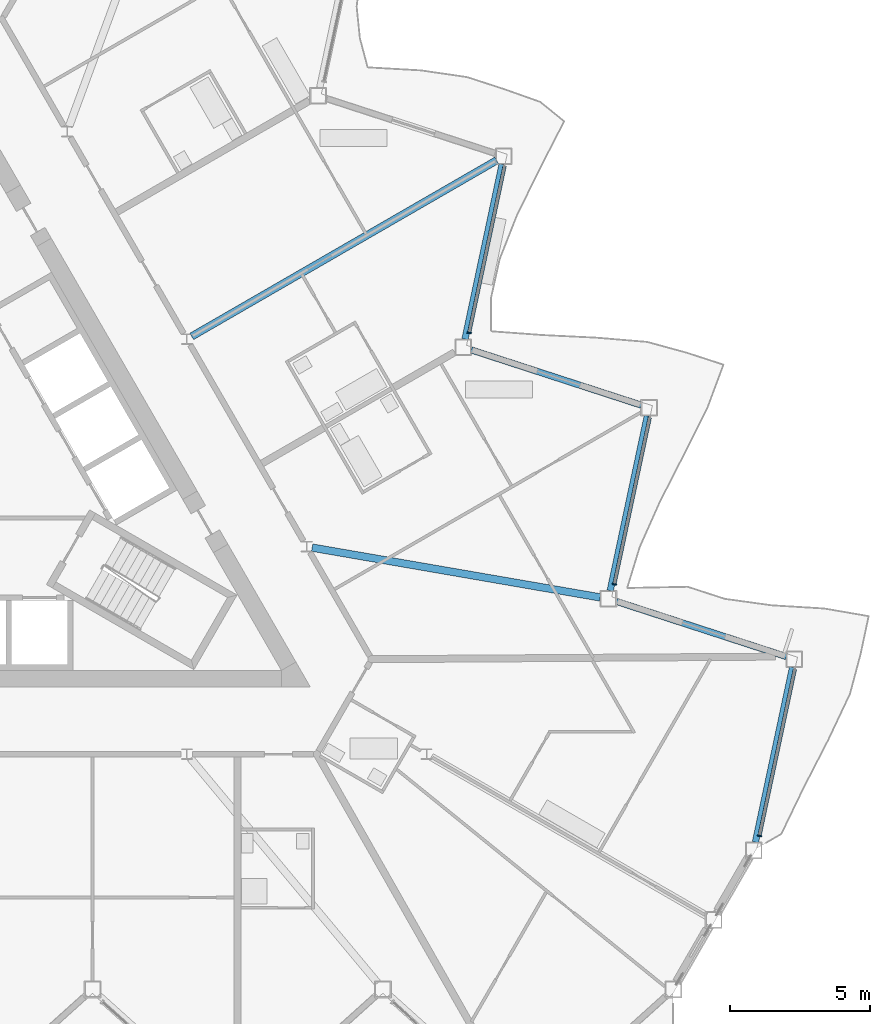
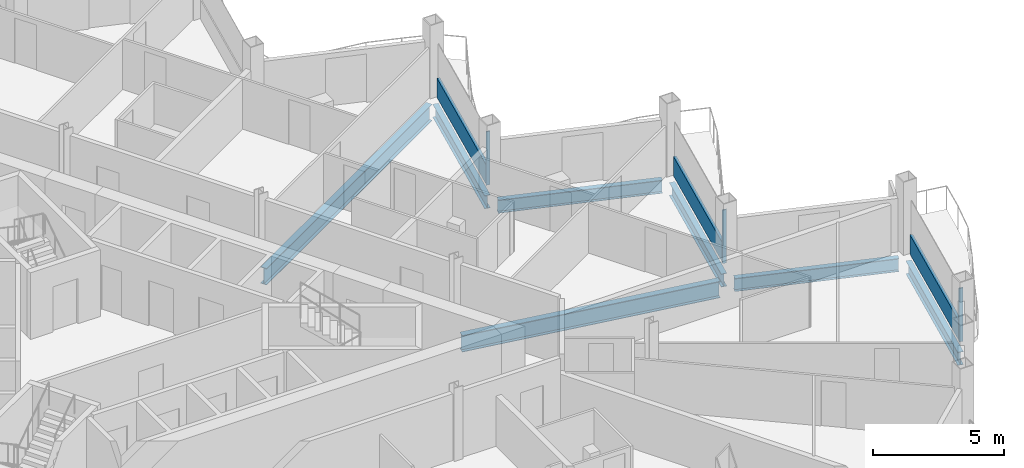
# One storey, part 8 of 26: 7 beams, 6 members, 3 elements without a shape of their own.
"""IFC4 building model written with IfcOpenShell, lengths in metres."""

from ifc_helpers import new_model, si_unit, direction, frame, origin, origin_2d, place, context, subcontext, project, spatial, rectangle, i_section, extrude, material, layer, layer_set, material_profile, profile_set, type_object, element, aggregate, save


model = new_model("IFC4")

# Units and contexts
model_context = context("Model", 3, precision=1e-05, world=origin(), true_north=direction((0.0, 1.0)))
body_context = subcontext(model_context, "Body", "Model", "MODEL_VIEW")
ifc_project = project(units=[si_unit("LENGTHUNIT", "METRE"), si_unit("AREAUNIT", "SQUARE_METRE"), si_unit("VOLUMEUNIT", "CUBIC_METRE"), si_unit("PLANEANGLEUNIT", "RADIAN"), si_unit("MASSUNIT", "GRAM", prefix="KILO")], contexts=[model_context])

# Site, building, storey
site_placement = place(None, origin())
site = spatial("IfcSite", under=ifc_project, at=site_placement, CompositionType="ELEMENT")
building_placement = place(site_placement, origin())
building = spatial("IfcBuilding", under=site, at=building_placement, Name="Cormorant Prow Tower", CompositionType="ELEMENT")
storey_placement = place(building_placement, frame((0.0, 0.0, 342.60009765625)))
storey = spatial("IfcBuildingStorey", under=building, at=storey_placement, Name="L77", CompositionType="ELEMENT", Elevation=342.60009765625)

# Beams
ifc_material_1 = material(Name="Structural steel ASTM A992 Gr 50", Category="steel")
ifc_material_profile_1 = material_profile(ifc_material_1, i_section(OverallWidth=0.267822265625, OverallDepth=0.77001953125, WebThickness=0.015625, FlangeThickness=0.025390625, at=origin_2d()), Name="W30x132")
ifc_profile_set_1 = profile_set([ifc_material_profile_1], Name="Structural steel ASTM A992 Gr 50")
beam_type_1 = type_object("IfcBeamType", Name="Radial floor beam W30x132", PredefinedType="BEAM", material=ifc_profile_set_1)
beam_1_placement = place(storey_placement, frame((13.0625, -2.510009765625, -0.68505859375), z_axis=(0.985379592304, -0.170373293304, 0.0), x_axis=(0.170373293304, 0.985379592304, 0.0)))
element("IfcBeam", 1, at=beam_1_placement, inside=storey, type_object=beam_type_1, Name="Radial floor beam FB3 10 L77", PredefinedType="BEAM", context=body_context, shape_type="SweptSolid", body=[
    extrude(i_section(OverallWidth=0.267822265625, OverallDepth=0.77001953125, WebThickness=0.015625, FlangeThickness=0.025390625, at=origin_2d()), origin(), (0.0, 0.0, 1.0), 10.465087890625),
])
beam_2_placement = place(storey_placement, frame((8.749755859375, 5.051513671875, -0.68505859375), z_axis=(0.866021086443, 0.50000747778, 0.0), x_axis=(-0.50000747778, 0.866021086443, 0.0)))
element("IfcBeam", 2, at=beam_2_placement, inside=storey, type_object=beam_type_1, Name="Radial floor beam FB3 11 L77", PredefinedType="BEAM", context=body_context, shape_type="SweptSolid", body=[
    extrude(i_section(OverallWidth=0.267822265625, OverallDepth=0.77001953125, WebThickness=0.015625, FlangeThickness=0.025390625, at=origin_2d()), origin(), (0.0, 0.0, 1.0), 12.604736328125),
])

# Curtain wall, member
ifc_material_2 = material(Name="Aluminium 6063-T6", Category="aluminium")
ifc_layer = layer(ifc_material_2, 0.159912109375)
ifc_layer_set = layer_set([ifc_layer], Name="Aluminium 6063-T6")
curtain_wall_type = type_object("IfcCurtainWallType", Name="Residential unitised curtain wall 160", PredefinedType="NOTDEFINED", material=ifc_layer_set)
curtain_wall_1_placement = place(storey_placement, origin())
curtain_wall_1 = element("IfcCurtainWall", 3, at=curtain_wall_1_placement, inside=storey, type_object=curtain_wall_type, Name="Residential curtain wall ENE00", PredefinedType="NOTDEFINED")
ifc_material_3 = material(Name="Aluminium 6063-T6", Category="aluminium")
ifc_material_profile_2 = material_profile(ifc_material_3, rectangle(XDim=0.159912109375, YDim=0.050048828125, at=origin_2d()), Name="Residential mullion 50x160")
ifc_profile_set_2 = profile_set([ifc_material_profile_2], Name="Aluminium 6063-T6")
member_type_1 = type_object("IfcMemberType", Name="Residential mullion 50x160", PredefinedType="MULLION", material=ifc_profile_set_2)
member_1_placement = place(storey_placement, frame((29.080810546875, -12.82421875, 0.0), z_axis=(0.0, 0.0, 1.0), x_axis=(-0.978147596612, 0.207911710211, 0.0)))
member_1 = element("IfcMember", 4, at=member_1_placement, type_object=member_type_1, Name="Residential mullion ENE00", PredefinedType="MULLION", context=body_context, shape_type="SweptSolid", body=[
    extrude(rectangle(XDim=0.159912109375, YDim=0.050048828125, at=origin_2d()), origin(), (0.0, 0.0, 1.0), 2.48779296875),
])

curtain_wall_2_placement = place(storey_placement, origin())
curtain_wall_2 = element("IfcCurtainWall", 5, at=curtain_wall_2_placement, inside=storey, type_object=curtain_wall_type, Name="Residential curtain wall ENE02", PredefinedType="NOTDEFINED")
member_2_placement = place(storey_placement, frame((23.88330078125, -3.82177734375, 0.0), z_axis=(0.0, 0.0, 1.0), x_axis=(-0.978147590428, 0.207911739302, 0.0)))
member_2 = element("IfcMember", 6, at=member_2_placement, type_object=member_type_1, Name="Residential mullion ENE02", PredefinedType="MULLION", context=body_context, shape_type="SweptSolid", body=[
    extrude(rectangle(XDim=0.159912109375, YDim=0.050048828125, at=origin_2d()), origin(), (0.0, 0.0, 1.0), 2.48779296875),
])

curtain_wall_3_placement = place(storey_placement, origin())
curtain_wall_3 = element("IfcCurtainWall", 7, at=curtain_wall_3_placement, inside=storey, type_object=curtain_wall_type, Name="Residential curtain wall ENE04", PredefinedType="NOTDEFINED")
member_3_placement = place(storey_placement, frame((18.685791015625, 5.180419921875, 0.0), z_axis=(0.0, 0.0, 1.0), x_axis=(-0.978147590428, 0.207911739302, 0.0)))
member_3 = element("IfcMember", 8, at=member_3_placement, type_object=member_type_1, Name="Residential mullion ENE04", PredefinedType="MULLION", context=body_context, shape_type="SweptSolid", body=[
    extrude(rectangle(XDim=0.159912109375, YDim=0.050048828125, at=origin_2d()), origin(), (0.0, 0.0, 1.0), 2.48779296875),
])

# Member
ifc_material_4 = material(Name="Terracotta", Category="masonry")
ifc_material_profile_3 = material_profile(ifc_material_4, rectangle(XDim=0.1201171875, YDim=0.89990234375, at=origin_2d()), Name="Residential terracotta spandrel rail 120x900")
ifc_profile_set_3 = profile_set([ifc_material_profile_3], Name="Terracotta")
member_type_2 = type_object("IfcMemberType", Name="Residential terracotta spandrel rail 120x900", PredefinedType="USERDEFINED", material=ifc_profile_set_3)
member_4_placement = place(storey_placement, frame((29.0859375, -12.7998046875, 0.449951171875), z_axis=(0.207939971389, 0.978141589086, 0.0), x_axis=(-0.978141589086, 0.207939971389, 0.0)))
member_4 = element("IfcMember", 9, at=member_4_placement, type_object=member_type_2, Name="Residential spandrel rail ENE00", ObjectType="TRANSOM", PredefinedType="USERDEFINED", context=body_context, shape_type="SweptSolid", body=[
    extrude(rectangle(XDim=0.1201171875, YDim=0.89990234375, at=origin_2d()), origin(), (0.0, 0.0, 1.0), 6.075927734375),
])

aggregate(curtain_wall_1, [member_1, member_4])

member_5_placement = place(storey_placement, frame((23.888427734375, -3.79736328125, 0.449951171875), z_axis=(0.207939971389, 0.978141589086, 0.0), x_axis=(-0.978141589086, 0.207939971389, 0.0)))
member_5 = element("IfcMember", 10, at=member_5_placement, type_object=member_type_2, Name="Residential spandrel rail ENE02", ObjectType="TRANSOM", PredefinedType="USERDEFINED", context=body_context, shape_type="SweptSolid", body=[
    extrude(rectangle(XDim=0.1201171875, YDim=0.89990234375, at=origin_2d()), origin(), (0.0, 0.0, 1.0), 6.075927734375),
])

aggregate(curtain_wall_2, [member_2, member_5])

member_6_placement = place(storey_placement, frame((18.69091796875, 5.205078125, 0.449951171875), z_axis=(0.207939971389, 0.978141589086, 0.0), x_axis=(-0.978141589086, 0.207939971389, 0.0)))
member_6 = element("IfcMember", 11, at=member_6_placement, type_object=member_type_2, Name="Residential spandrel rail ENE04", ObjectType="TRANSOM", PredefinedType="USERDEFINED", context=body_context, shape_type="SweptSolid", body=[
    extrude(rectangle(XDim=0.1201171875, YDim=0.89990234375, at=origin_2d()), origin(), (0.0, 0.0, 1.0), 6.075927734375),
])

aggregate(curtain_wall_3, [member_3, member_6])

# Beams
ifc_material_5 = material(Name="Structural steel ASTM A992 Gr 50", Category="steel")
ifc_material_profile_4 = material_profile(ifc_material_5, i_section(OverallWidth=0.22900390625, OverallDepth=0.612060546875, WebThickness=0.011962890625, FlangeThickness=0.01953125, at=origin_2d()), Name="W24x84")
ifc_profile_set_4 = profile_set([ifc_material_profile_4], Name="Structural steel ASTM A992 Gr 50")
beam_type_2 = type_object("IfcBeamType", Name="Spandrel beam W24x84", PredefinedType="SPANDREL", material=ifc_profile_set_4)
beam_3_placement = place(storey_placement, frame((28.931640625, -13.055908203125, -0.606201171875), z_axis=(0.20791262393, 0.978147402394, 0.0), x_axis=(-0.978147402394, 0.20791262393, 0.0)))
element("IfcBeam", 12, at=beam_3_placement, inside=storey, type_object=beam_type_2, Name="Spandrel beam SB3 ENE00-ENE01 L77", PredefinedType="SPANDREL", context=body_context, shape_type="SweptSolid", body=[
    extrude(i_section(OverallWidth=0.22900390625, OverallDepth=0.612060546875, WebThickness=0.011962890625, FlangeThickness=0.01953125, at=origin_2d()), origin(), (0.0, 0.0, 1.0), 6.396240234375),
])
beam_4_placement = place(storey_placement, frame((30.038330078125, -6.413330078125, -0.606201171875), z_axis=(-0.951064359156, 0.308992855489, 0.0), x_axis=(-0.308992855489, -0.951064359156, 0.0)))
element("IfcBeam", 13, at=beam_4_placement, inside=storey, type_object=beam_type_2, Name="Spandrel beam SB3 ENE01-ENE02 L77", PredefinedType="SPANDREL", context=body_context, shape_type="SweptSolid", body=[
    extrude(i_section(OverallWidth=0.22900390625, OverallDepth=0.612060546875, WebThickness=0.011962890625, FlangeThickness=0.01953125, at=origin_2d()), origin(), (0.0, 0.0, 1.0), 6.39599609375),
])
beam_5_placement = place(storey_placement, frame((23.732421875, -4.05078125, -0.606201171875), z_axis=(0.20791262393, 0.978147402394, 0.0), x_axis=(-0.978147402394, 0.20791262393, 0.0)))
element("IfcBeam", 14, at=beam_5_placement, inside=storey, type_object=beam_type_2, Name="Spandrel beam SB3 ENE02-ENE03 L77", PredefinedType="SPANDREL", context=body_context, shape_type="SweptSolid", body=[
    extrude(i_section(OverallWidth=0.22900390625, OverallDepth=0.612060546875, WebThickness=0.011962890625, FlangeThickness=0.01953125, at=origin_2d()), origin(), (0.0, 0.0, 1.0), 6.396240234375),
])
beam_6_placement = place(storey_placement, frame((24.83935546875, 2.591796875, -0.606201171875), z_axis=(-0.951064359156, 0.308992855489, 0.0), x_axis=(-0.308992855489, -0.951064359156, 0.0)))
element("IfcBeam", 15, at=beam_6_placement, inside=storey, type_object=beam_type_2, Name="Spandrel beam SB3 ENE03-ENE04 L77", PredefinedType="SPANDREL", context=body_context, shape_type="SweptSolid", body=[
    extrude(i_section(OverallWidth=0.22900390625, OverallDepth=0.612060546875, WebThickness=0.011962890625, FlangeThickness=0.01953125, at=origin_2d()), origin(), (0.0, 0.0, 1.0), 6.39599609375),
])
beam_7_placement = place(storey_placement, frame((18.533447265625, 4.954345703125, -0.606201171875), z_axis=(0.20791262393, 0.978147402394, 0.0), x_axis=(-0.978147402394, 0.20791262393, 0.0)))
element("IfcBeam", 16, at=beam_7_placement, inside=storey, type_object=beam_type_2, Name="Spandrel beam SB3 ENE04-ENE05 L77", PredefinedType="SPANDREL", context=body_context, shape_type="SweptSolid", body=[
    extrude(i_section(OverallWidth=0.22900390625, OverallDepth=0.612060546875, WebThickness=0.011962890625, FlangeThickness=0.01953125, at=origin_2d()), origin(), (0.0, 0.0, 1.0), 6.396240234375),
])

save(model, "model.ifc")
